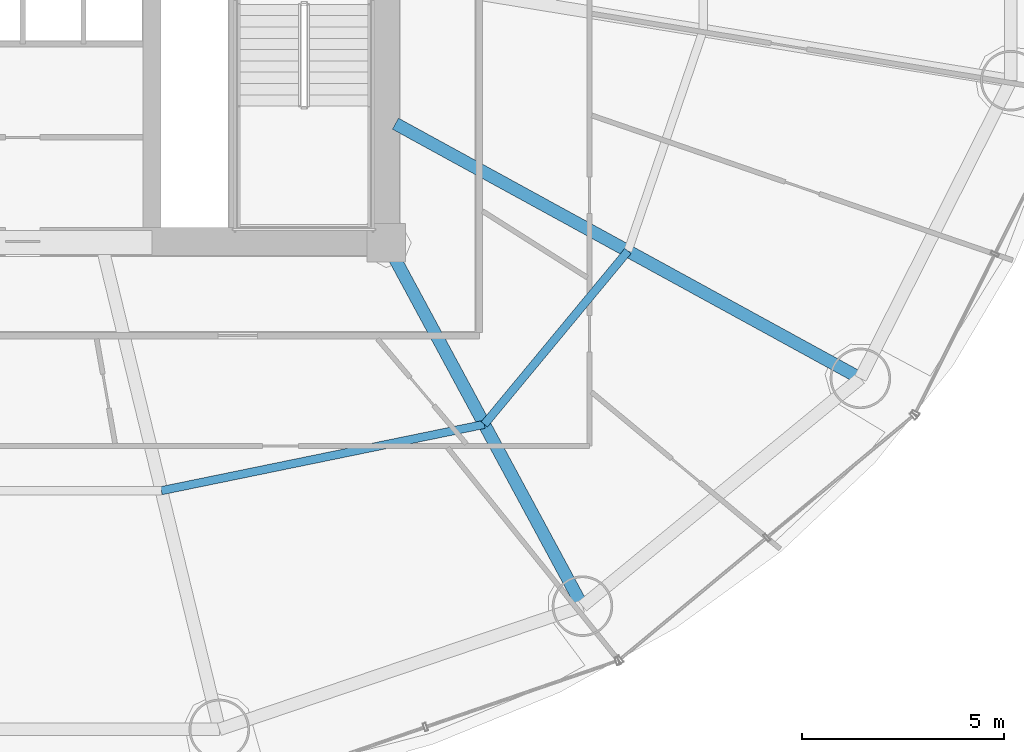
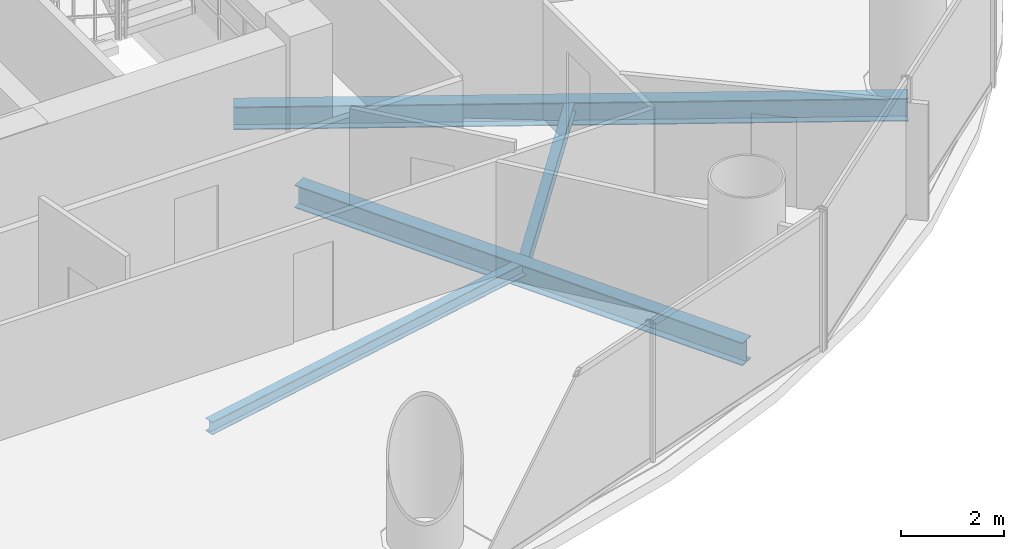
# One storey, part 12 of 29: 4 beams.
"""IFC4 building model written with IfcOpenShell, lengths in metres."""

from ifc_helpers import new_model, si_unit, direction, frame, origin, origin_2d, place, context, subcontext, project, spatial, i_section, extrude, material, material_profile, profile_set, type_object, element, save


model = new_model("IFC4")

# Units and contexts
model_context = context("Model", 3, precision=1e-05, world=origin(), true_north=direction((-0.2419218956, 0.970295726276)))
body_context = subcontext(model_context, "Body", "Model", "MODEL_VIEW")
ifc_project = project(units=[si_unit("LENGTHUNIT", "METRE"), si_unit("AREAUNIT", "SQUARE_METRE"), si_unit("VOLUMEUNIT", "CUBIC_METRE"), si_unit("PLANEANGLEUNIT", "RADIAN"), si_unit("MASSUNIT", "GRAM", prefix="KILO")], contexts=[model_context])

# Site, building, storey
site_placement = place(None, origin())
site = spatial("IfcSite", under=ifc_project, at=site_placement, CompositionType="ELEMENT")
building_placement = place(site_placement, origin())
building = spatial("IfcBuilding", under=site, at=building_placement, Name="Cobrevalo Terracotta Tower", CompositionType="ELEMENT")
storey_placement = place(building_placement, frame((0.0, 0.0, 94.199951171875)))
storey = spatial("IfcBuildingStorey", under=building, at=storey_placement, Name="L24", CompositionType="ELEMENT", Elevation=94.199951171875)

# Beams
ifc_material = material(Name="Steel S355", Category="steel")
ifc_material_profile_1 = material_profile(ifc_material, i_section(OverallWidth=0.31201171875, OverallDepth=0.54296875, WebThickness=0.0126953125, FlangeThickness=0.020263671875, at=origin_2d()), Name="W 530x150")
ifc_profile_set_1 = profile_set([ifc_material_profile_1], Name="Steel S355")
beam_type_1 = type_object("IfcBeamType", Name="Structural Beam W 530x150 (Steel S355)", PredefinedType="BEAM", material=ifc_profile_set_1)
beam_1_placement = place(storey_placement, frame((51.861572265625, 9.79638671875, -0.54638671875), z_axis=(-0.475118249298, 0.879921956303, 0.0), x_axis=(-0.879921956303, -0.475118249298, 0.0)))
element("IfcBeam", 1, at=beam_1_placement, inside=storey, type_object=beam_type_1, Name="L24 radial floor girder 14", PredefinedType="BEAM", context=body_context, shape_type="SweptSolid", body=[
    extrude(i_section(OverallWidth=0.31201171875, OverallDepth=0.54296875, WebThickness=0.0126953125, FlangeThickness=0.020263671875, at=origin_2d()), origin(), (0.0, 0.0, 1.0), 10.232421875),
])
beam_2_placement = place(storey_placement, frame((58.7451171875, 15.4384765625, -0.54638671875), z_axis=(-0.877072765004, 0.480357538599, 0.0), x_axis=(-0.480357538599, -0.877072765004, 0.0)))
element("IfcBeam", 2, at=beam_2_placement, inside=storey, type_object=beam_type_1, Name="L24 radial floor girder 15", PredefinedType="BEAM", context=body_context, shape_type="SweptSolid", body=[
    extrude(i_section(OverallWidth=0.31201171875, OverallDepth=0.54296875, WebThickness=0.0126953125, FlangeThickness=0.020263671875, at=origin_2d()), origin(), (0.0, 0.0, 1.0), 13.129150390625),
])
ifc_material_profile_2 = material_profile(ifc_material, i_section(OverallWidth=0.2041015625, OverallDepth=0.305908203125, WebThickness=0.008544921875, FlangeThickness=0.0146484375, at=origin_2d()), Name="W 310x67")
ifc_profile_set_2 = profile_set([ifc_material_profile_2], Name="Steel S355")
beam_type_2 = type_object("IfcBeamType", Name="Structural Joist W 310x67 (Steel S355)", PredefinedType="JOIST", material=ifc_profile_set_2)
beam_3_placement = place(storey_placement, frame((41.432373046875, 12.656494140625, -0.427978515625), z_axis=(0.979574469315, 0.201081722357, 0.0), x_axis=(-0.201081722357, 0.979574469315, 0.0)))
element("IfcBeam", 3, at=beam_3_placement, inside=storey, type_object=beam_type_2, Name="L24 circumferential secondary floor joist 13", PredefinedType="JOIST", context=body_context, shape_type="SweptSolid", body=[
    extrude(i_section(OverallWidth=0.2041015625, OverallDepth=0.305908203125, WebThickness=0.008544921875, FlangeThickness=0.0146484375, at=origin_2d()), origin(), (0.0, 0.0, 1.0), 8.1650390625),
])
beam_4_placement = place(storey_placement, frame((49.4306640625, 14.29833984375, -0.427978515625), z_axis=(0.6379592588, 0.77007011636, 0.0), x_axis=(-0.77007011636, 0.6379592588, 0.0)))
element("IfcBeam", 4, at=beam_4_placement, inside=storey, type_object=beam_type_2, Name="L24 circumferential secondary floor joist 14", PredefinedType="JOIST", context=body_context, shape_type="SweptSolid", body=[
    extrude(i_section(OverallWidth=0.2041015625, OverallDepth=0.305908203125, WebThickness=0.008544921875, FlangeThickness=0.0146484375, at=origin_2d()), origin(), (0.0, 0.0, 1.0), 5.575439453125),
])

save(model, "model.ifc")
